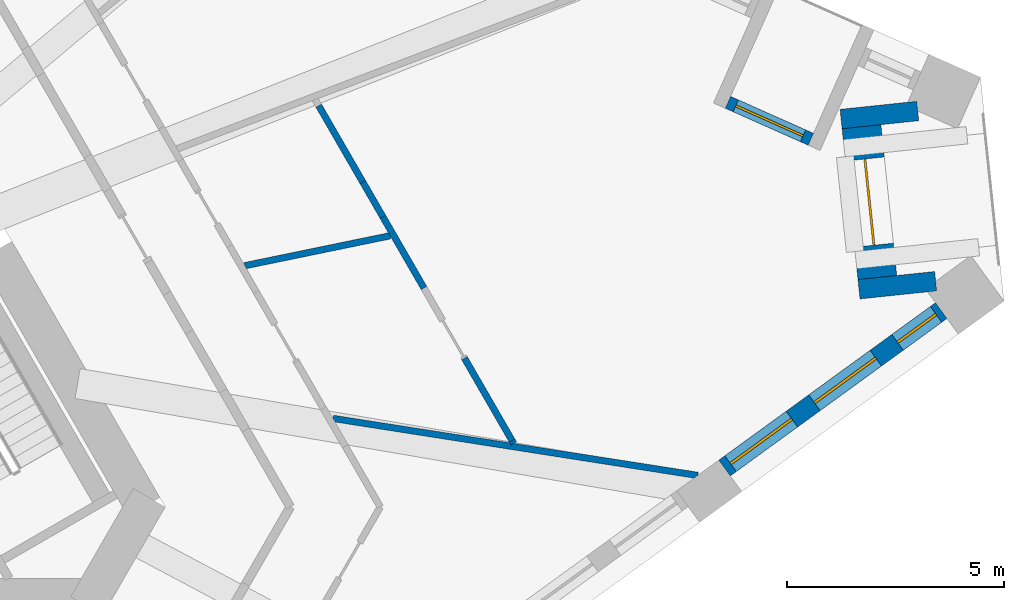
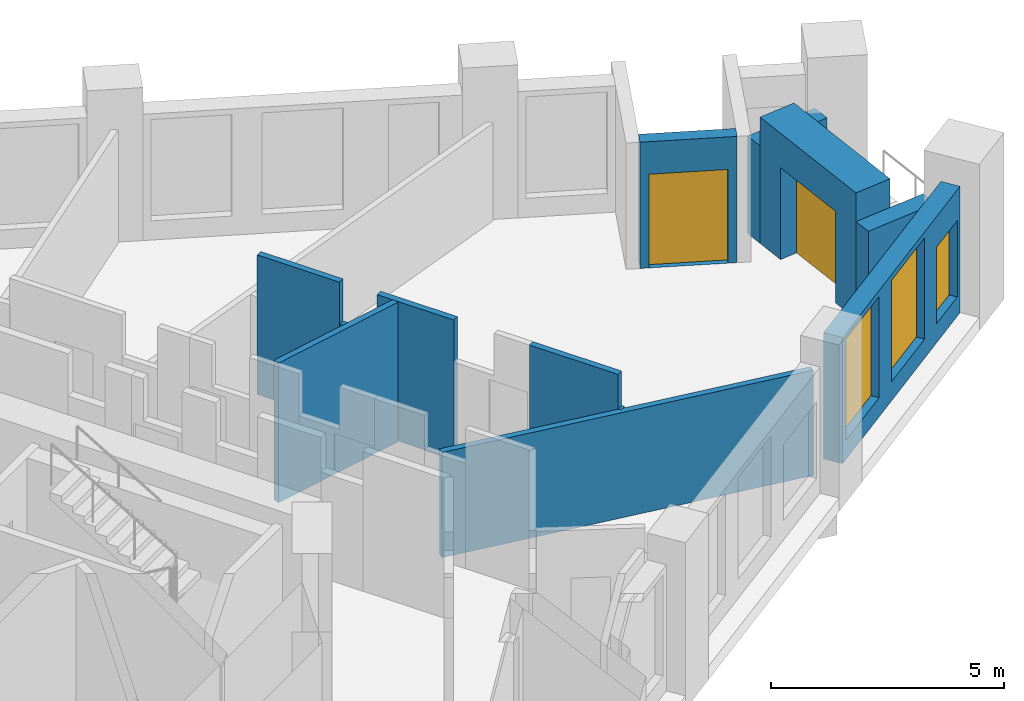
# One storey, part 6 of 14: 12 walls, 3 windows, 2 doors, 5 openings.
"""IFC4 building model written with IfcOpenShell, lengths in metres."""

from ifc_helpers import new_model, si_unit, direction, frame, frame_2d, origin, place, context, subcontext, project, spatial, rectangle, extrude, material, layer, layer_set, type_object, element, fill, save


model = new_model("IFC4")

# Units and contexts
model_context = context("Model", 3, precision=1e-05, world=origin(), true_north=direction((0.0, 1.0)))
body_context = subcontext(model_context, "Body", "Model", "MODEL_VIEW")
ifc_project = project(units=[si_unit("LENGTHUNIT", "METRE"), si_unit("AREAUNIT", "SQUARE_METRE"), si_unit("VOLUMEUNIT", "CUBIC_METRE"), si_unit("PLANEANGLEUNIT", "RADIAN"), si_unit("MASSUNIT", "GRAM", prefix="KILO")], contexts=[model_context])

# Site, building, storey
site_placement = place(None, origin())
site = spatial("IfcSite", under=ifc_project, at=site_placement, CompositionType="ELEMENT")
building_placement = place(site_placement, origin())
building = spatial("IfcBuilding", under=site, at=building_placement, Name="Tramontana Tower", CompositionType="ELEMENT")
storey_placement = place(building_placement, frame((0.0, 0.0, 162.800048828125)))
storey = spatial("IfcBuildingStorey", under=building, at=storey_placement, Name="L37", CompositionType="ELEMENT", Elevation=162.800048828125)

# Wall, openings, windows
ifc_material_1 = material(Name="Precast concrete 60 MPa", Category="concrete")
ifc_layer_1 = layer(ifc_material_1, 0.449951171875)
ifc_layer_set_1 = layer_set([ifc_layer_1], Name="Precast concrete 60 MPa, 450 mm")
wall_type_1 = type_object("IfcWallType", Name="EW1 Stone-faced precast wall 450", PredefinedType="SOLIDWALL", material=ifc_layer_set_1)
wall_1_placement = place(storey_placement, frame((23.159423828125, -3.3525390625, 0.0), z_axis=(0.0, 0.0, 1.0), x_axis=(0.809005790194, 0.587800673215, 0.0)))
wall_1 = element("IfcWall", 1, at=wall_1_placement, inside=storey, type_object=wall_type_1, Name="External wall L37 face 1 bay 6", PredefinedType="SOLIDWALL", context=body_context, shape_type="SweptSolid", body=[
    extrude(rectangle(XDim=6.182861328125, YDim=0.449951171875, at=frame_2d((3.09130859375, 0.0))), origin(), (0.0, 0.0, 1.0), 3.300048828125),
])
opening_1_placement = place(wall_1_placement, frame((0.172119140625, 0.0, 0.5)))
opening_1 = element("IfcOpeningElement", 2, at=opening_1_placement, cuts=wall_1, Name="Opening M2", PredefinedType="OPENING", context=body_context, shape_type="SweptSolid", body=[
    extrude(rectangle(XDim=1.75, YDim=2.64990234375, at=frame_2d((0.875, 1.324951171875))), frame((0.0, 0.23486328125, 0.0), z_axis=(0.0, -1.0, 0.0), x_axis=(1.0, 0.0, 0.0)), (0.0, 0.0, 1.0), 0.469970703125),
])
opening_2_placement = place(wall_1_placement, frame((2.56640625, 0.0, 0.5)))
opening_2 = element("IfcOpeningElement", 3, at=opening_2_placement, cuts=wall_1, Name="Opening M2", PredefinedType="OPENING", context=body_context, shape_type="SweptSolid", body=[
    extrude(rectangle(XDim=1.75, YDim=2.64990234375, at=frame_2d((0.875, 1.324951171875))), frame((0.0, 0.23486328125, 0.0), z_axis=(0.0, -1.0, 0.0), x_axis=(1.0, 0.0, 0.0)), (0.0, 0.0, 1.0), 0.469970703125),
])
opening_3_placement = place(wall_1_placement, frame((4.935791015625, 0.0, 0.5)))
opening_3 = element("IfcOpeningElement", 4, at=opening_3_placement, cuts=wall_1, Name="Opening N2L", PredefinedType="OPENING", context=body_context, shape_type="SweptSolid", body=[
    extrude(rectangle(XDim=1.10009765625, YDim=2.0, at=frame_2d((0.550048828125, 1.0))), frame((0.0, 0.23486328125, 0.0), z_axis=(0.0, -1.0, 0.0), x_axis=(1.0, 0.0, 0.0)), (0.0, 0.0, 1.0), 0.469970703125),
])
ifc_material_2 = material(Name="Aluminum frame, double glazing unit", Category="aluminium")
window_type_1 = type_object("IfcWindowType", Name="M2 Window 1.75 x 2.65", PartitioningType="SINGLE_PANEL", PredefinedType="WINDOW", material=ifc_material_2)
window_1_placement = place(opening_1_placement, origin())
window_1 = element("IfcWindow", 5, at=window_1_placement, inside=storey, type_object=window_type_1, Name="Window M2 L37 face 1 module 16", OverallHeight=2.64990234375, OverallWidth=1.75, PartitioningType="SINGLE_PANEL", PredefinedType="WINDOW", context=body_context, shape_type="SweptSolid", body=[
    extrude(rectangle(XDim=1.75, YDim=2.64990234375, at=frame_2d((0.875, 1.324951171875))), frame((0.0, 0.030029296875, 0.0), z_axis=(0.0, -1.0, 0.0), x_axis=(1.0, 0.0, 0.0)), (0.0, 0.0, 1.0), 0.06005859375),
])
fill(opening_1, window_1)
window_2_placement = place(opening_2_placement, origin())
window_2 = element("IfcWindow", 6, at=window_2_placement, inside=storey, type_object=window_type_1, Name="Window M2 L37 face 1 module 17", OverallHeight=2.64990234375, OverallWidth=1.75, PartitioningType="SINGLE_PANEL", PredefinedType="WINDOW", context=body_context, shape_type="SweptSolid", body=[
    extrude(rectangle(XDim=1.75, YDim=2.64990234375, at=frame_2d((0.875, 1.324951171875))), frame((0.0, 0.030029296875, 0.0), z_axis=(0.0, -1.0, 0.0), x_axis=(1.0, 0.0, 0.0)), (0.0, 0.0, 1.0), 0.06005859375),
])
fill(opening_2, window_2)
ifc_material_3 = material(Name="Aluminum frame, double glazing unit", Category="aluminium")
window_type_2 = type_object("IfcWindowType", Name="N2L Window 1.1 x 2", PartitioningType="SINGLE_PANEL", PredefinedType="WINDOW", material=ifc_material_3)
window_3_placement = place(opening_3_placement, origin())
window_3 = element("IfcWindow", 7, at=window_3_placement, inside=storey, type_object=window_type_2, Name="Window N2L L37 face 1 module 18", OverallHeight=2.0, OverallWidth=1.10009765625, PartitioningType="SINGLE_PANEL", PredefinedType="WINDOW", context=body_context, shape_type="SweptSolid", body=[
    extrude(rectangle(XDim=1.10009765625, YDim=2.0, at=frame_2d((0.550048828125, 1.0))), frame((0.0, 0.030029296875, 0.0), z_axis=(0.0, -1.0, 0.0), x_axis=(1.0, 0.0, 0.0)), (0.0, 0.0, 1.0), 0.06005859375),
])
fill(opening_3, window_3)

# Walls
wall_2_placement = place(storey_placement, frame((27.619384765625, 4.888916015625, 0.0), z_axis=(0.0, 0.0, 1.0), x_axis=(-0.994517477618, -0.104570486815, 0.0)))
element("IfcWall", 8, at=wall_2_placement, inside=storey, type_object=wall_type_1, Name="Corner loggia side wall L37 K42l", PredefinedType="SOLIDWALL", context=body_context, shape_type="SweptSolid", body=[
    extrude(rectangle(XDim=1.779052734375, YDim=0.449951171875, at=frame_2d((0.8896484375, 0.0))), origin(), (0.0, 0.0, 1.0), 2.550048828125),
])
wall_3_placement = place(storey_placement, frame((28.032470703125, 0.96044921875, 0.0), z_axis=(0.0, 0.0, 1.0), x_axis=(-0.994518977937, -0.104556217051, 0.0)))
element("IfcWall", 9, at=wall_3_placement, inside=storey, type_object=wall_type_1, Name="Corner loggia side wall L37 K42r", PredefinedType="SOLIDWALL", context=body_context, shape_type="SweptSolid", body=[
    extrude(rectangle(XDim=1.779296875, YDim=0.449951171875, at=frame_2d((0.8896484375, 0.0))), origin(), (0.0, 0.0, 1.0), 2.550048828125),
])

# Wall, opening, door
ifc_material_4 = material(Name="Precast concrete 60 MPa", Category="concrete")
ifc_layer_2 = layer(ifc_material_4, 0.89990234375)
ifc_layer_set_2 = layer_set([ifc_layer_2], Name="EW2 Stone-faced corner loggia wall 900")
wall_type_2 = type_object("IfcWallType", Name="EW2 Stone-faced corner loggia wall 900", PredefinedType="SOLIDWALL", material=ifc_layer_set_2)
wall_4_placement = place(storey_placement, frame((26.321044921875, 4.526123046875, 0.0), z_axis=(0.0, 0.0, 1.0), x_axis=(0.104557701916, -0.994518821828, 0.0)))
wall_4 = element("IfcWall", 10, at=wall_4_placement, inside=storey, type_object=wall_type_2, Name="Corner loggia wall L37 K42", PredefinedType="SOLIDWALL", context=body_context, shape_type="SweptSolid", body=[
    extrude(rectangle(XDim=3.500244140625, YDim=0.89990234375, at=frame_2d((1.75, 0.0))), origin(), (0.0, 0.0, 1.0), 3.300048828125),
])
opening_4_placement = place(wall_4_placement, frame((0.75, 0.0, 0.0)))
opening_4 = element("IfcOpeningElement", 11, at=opening_4_placement, cuts=wall_4, Name="Opening BD-42C", PredefinedType="OPENING", context=body_context, shape_type="SweptSolid", body=[
    extrude(rectangle(XDim=2.0, YDim=2.39990234375, at=frame_2d((1.0, 1.199951171875))), frame((0.0, 0.4599609375, 0.0), z_axis=(0.0, -1.0, 0.0), x_axis=(1.0, 0.0, 0.0)), (0.0, 0.0, 1.0), 0.919921875),
])
ifc_material_5 = material(Name="Aluminum frame, double glazing unit", Category="aluminium")
door_type_1 = type_object("IfcDoorType", Name="BC1 Sliding door 2 x 2.4", OperationType="SLIDING_TO_LEFT", PredefinedType="DOOR", material=ifc_material_5)
door_1_placement = place(opening_4_placement, origin())
door_1 = element("IfcDoor", 12, at=door_1_placement, inside=storey, type_object=door_type_1, Name="Corner loggia door L37 K42", OperationType="SLIDING_TO_LEFT", OverallHeight=2.39990234375, OverallWidth=2.0, PredefinedType="DOOR", context=body_context, shape_type="SweptSolid", body=[
    extrude(rectangle(XDim=2.0, YDim=2.39990234375, at=frame_2d((1.0, 1.199951171875))), frame((0.0, 0.02490234375, 0.0), z_axis=(0.0, -1.0, 0.0), x_axis=(1.0, 0.0, 0.0)), (0.0, 0.0, 1.0), 0.050048828125),
])
fill(opening_4, door_1)

ifc_material_6 = material(Name="Precast concrete 60 MPa", Category="concrete")
ifc_layer_3 = layer(ifc_material_6, 0.300048828125)
ifc_layer_set_3 = layer_set([ifc_layer_3], Name="LW1 Stone-faced loggia wall 300")
wall_type_3 = type_object("IfcWallType", Name="LW1 Stone-faced loggia wall 300", PredefinedType="SOLIDWALL", material=ifc_layer_set_3)
wall_5_placement = place(storey_placement, frame((25.15185546875, 4.236083984375, 0.0), z_axis=(0.0, 0.0, 1.0), x_axis=(-0.913556597974, 0.40671162056, 0.0)))
wall_5 = element("IfcWall", 13, at=wall_5_placement, inside=storey, type_object=wall_type_3, Name="Loggia wall L37 G4S2.1", PredefinedType="SOLIDWALL", context=body_context, shape_type="SweptSolid", body=[
    extrude(rectangle(XDim=2.094482421875, YDim=0.300048828125, at=frame_2d((1.04736328125, 0.0))), origin(), (0.0, 0.0, 1.0), 3.300048828125),
])
opening_5_placement = place(wall_5_placement, frame((0.197265625, 0.0, 0.0)))
opening_5 = element("IfcOpeningElement", 14, at=opening_5_placement, cuts=wall_5, Name="Opening BD-4S2-01", PredefinedType="OPENING", context=body_context, shape_type="SweptSolid", body=[
    extrude(rectangle(XDim=1.699951171875, YDim=2.449951171875, at=frame_2d((0.85009765625, 1.22509765625))), frame((0.0, 0.159912109375, 0.0), z_axis=(0.0, -1.0, 0.0), x_axis=(1.0, 0.0, 0.0)), (0.0, 0.0, 1.0), 0.320068359375),
])
ifc_material_7 = material(Name="Aluminum frame, double glazing unit", Category="aluminium")
door_type_2 = type_object("IfcDoorType", Name="BD2 Sliding door 1.7 x 2.45", OperationType="SLIDING_TO_LEFT", PredefinedType="DOOR", material=ifc_material_7)
door_2_placement = place(opening_5_placement, origin())
door_2 = element("IfcDoor", 15, at=door_2_placement, inside=storey, type_object=door_type_2, Name="Loggia door L37 G4S2.1", OperationType="SLIDING_TO_LEFT", OverallHeight=2.449951171875, OverallWidth=1.699951171875, PredefinedType="DOOR", context=body_context, shape_type="SweptSolid", body=[
    extrude(rectangle(XDim=1.699951171875, YDim=2.449951171875, at=frame_2d((0.85009765625, 1.22509765625))), frame((0.0, 0.02490234375, 0.0), z_axis=(0.0, -1.0, 0.0), x_axis=(1.0, 0.0, 0.0)), (0.0, 0.0, 1.0), 0.050048828125),
])
fill(opening_5, door_2)

# Walls
ifc_material_8 = material(Name="Gypsum board partition")
ifc_layer_4 = layer(ifc_material_8, 0.14990234375)
ifc_layer_set_4 = layer_set([ifc_layer_4], Name="PARTITION 150")
wall_type_4 = type_object("IfcWallType", Name="PARTITION 150", PredefinedType="PARTITIONING", material=ifc_layer_set_4)
wall_6_placement = place(storey_placement, frame((12.085205078125, 1.317626953125, 0.0), z_axis=(0.0, 0.0, 1.0), x_axis=(0.979403580684, 0.201912421962, 0.0)))
element("IfcWall", 16, at=wall_6_placement, inside=storey, type_object=wall_type_4, Name="Wall v40-pw30", PredefinedType="PARTITIONING", context=body_context, shape_type="SweptSolid", body=[
    extrude(rectangle(XDim=3.42431640625, YDim=0.14990234375, at=frame_2d((1.712158203125, 0.0))), origin(), (0.0, 0.0, 1.0), 3.64990234375),
])
wall_7_placement = place(storey_placement, frame((13.792724609375, 5.010498046875, 0.0), z_axis=(0.0, 0.0, 1.0), x_axis=(0.499957811549, -0.866049759928, 0.0)))
element("IfcWall", 17, at=wall_7_placement, inside=storey, type_object=wall_type_4, Name="Wall v40-pw31-1", PredefinedType="PARTITIONING", context=body_context, shape_type="SweptSolid", body=[
    extrude(rectangle(XDim=2.035400390625, YDim=0.14990234375, at=frame_2d((1.017578125, 0.0))), origin(), (0.0, 0.0, 1.0), 3.64990234375),
])
wall_8_placement = place(storey_placement, frame((14.810302734375, 3.247802734375, 0.0), z_axis=(0.0, 0.0, 1.0), x_axis=(0.499935264145, -0.866062775822, 0.0)))
element("IfcWall", 18, at=wall_8_placement, inside=storey, type_object=wall_type_4, Name="Wall v40-pw31-2", PredefinedType="PARTITIONING", context=body_context, shape_type="SweptSolid", body=[
    extrude(rectangle(XDim=0.9267578125, YDim=0.14990234375, at=frame_2d((0.46337890625, 0.0))), origin(), (0.0, 0.0, 1.0), 2.550048828125),
])
wall_9_placement = place(storey_placement, frame((15.273681640625, 2.445068359375, 0.0), z_axis=(0.0, 0.0, 1.0), x_axis=(0.499971120268, -0.866042076863, 0.0)))
element("IfcWall", 19, at=wall_9_placement, inside=storey, type_object=wall_type_4, Name="Wall v40-pw31-3", PredefinedType="PARTITIONING", context=body_context, shape_type="SweptSolid", body=[
    extrude(rectangle(XDim=1.89794921875, YDim=0.14990234375, at=frame_2d((0.948974609375, 0.0))), origin(), (0.0, 0.0, 1.0), 3.64990234375),
])
wall_10_placement = place(storey_placement, frame((17.156494140625, -0.81591796875, 0.0), z_axis=(0.0, 0.0, 1.0), x_axis=(0.500023898135, -0.86601160575, 0.0)))
element("IfcWall", 20, at=wall_10_placement, inside=storey, type_object=wall_type_4, Name="Wall v40-pw31-5", PredefinedType="PARTITIONING", context=body_context, shape_type="SweptSolid", body=[
    extrude(rectangle(XDim=2.19677734375, YDim=0.14990234375, at=frame_2d((1.098388671875, 0.0))), origin(), (0.0, 0.0, 1.0), 3.64990234375),
])
wall_11_placement = place(storey_placement, frame((18.2548828125, -2.71826171875, 0.0), z_axis=(0.0, 0.0, 1.0), x_axis=(0.500005339912, -0.866022320763, 0.0)))
element("IfcWall", 21, at=wall_11_placement, inside=storey, type_object=wall_type_4, Name="Wall v40-pw31-6", PredefinedType="PARTITIONING", context=body_context, shape_type="SweptSolid", body=[
    extrude(rectangle(XDim=0.07470703125, YDim=0.14990234375, at=frame_2d((0.037353515625, 0.0))), origin(), (0.0, 0.0, 1.0), 2.75),
])
wall_12_placement = place(storey_placement, frame((22.541748046875, -3.523193359375, 0.0), z_axis=(0.0, 0.0, 1.0), x_axis=(-0.988002612028, 0.154437167243, 0.0)))
element("IfcWall", 22, at=wall_12_placement, inside=storey, type_object=wall_type_4, Name="Wall v40-pw36-0", PredefinedType="PARTITIONING", context=body_context, shape_type="SweptSolid", body=[
    extrude(rectangle(XDim=8.52392578125, YDim=0.14990234375, at=frame_2d((4.261962890625, 0.0))), origin(), (0.0, 0.0, 1.0), 2.75),
])

save(model, "model.ifc")
